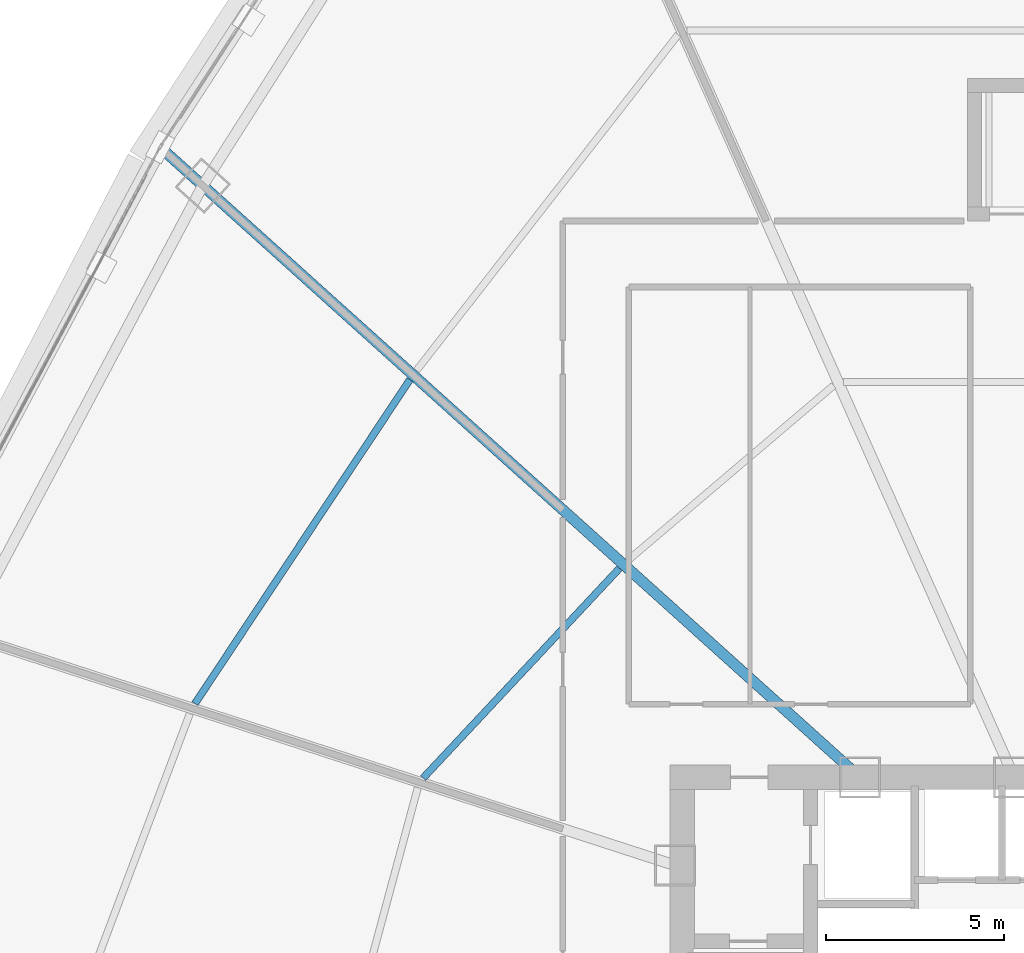
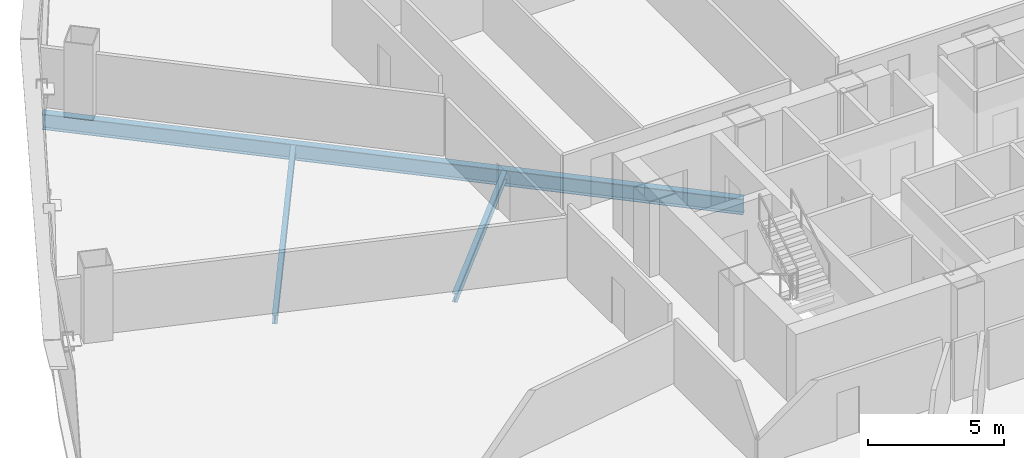
# One storey, part 15 of 42: 3 beams.
"""IFC4 building model written with IfcOpenShell, lengths in metres."""

from ifc_helpers import new_model, si_unit, direction, frame, origin, origin_2d, place, context, subcontext, project, spatial, i_section, extrude, source, transform, mapped, material, material_profile, profile_set, type_object, element, save


model = new_model("IFC4")

# Units and contexts
model_context = context("Model", 3, precision=1e-05, world=origin(), true_north=direction((0.0, 1.0)))
body_context = subcontext(model_context, "Body", "Model", "MODEL_VIEW")
ifc_project = project(units=[si_unit("LENGTHUNIT", "METRE"), si_unit("AREAUNIT", "SQUARE_METRE"), si_unit("VOLUMEUNIT", "CUBIC_METRE"), si_unit("PLANEANGLEUNIT", "RADIAN"), si_unit("MASSUNIT", "GRAM", prefix="KILO"), si_unit("THERMODYNAMICTEMPERATUREUNIT", "KELVIN"), si_unit("POWERUNIT", "WATT")], contexts=[model_context])

# Site, building, storey
site_placement = place(None, origin())
site = spatial("IfcSite", under=ifc_project, at=site_placement, CompositionType="ELEMENT")
building_placement = place(site_placement, origin())
building = spatial("IfcBuilding", under=site, at=building_placement, Name="Yunzhuo Pagoda Commons", CompositionType="ELEMENT")
storey_placement = place(building_placement, frame((0.0, 0.0, 48.550048828125)))
storey = spatial("IfcBuildingStorey", under=building, at=storey_placement, Name="L12", CompositionType="ELEMENT", Elevation=48.550048828125)

# Beams
ifc_material = material(Name="Structural steel Q355B", Category="steel")
ifc_material_profile_1 = material_profile(ifc_material, i_section(OverallWidth=0.199951171875, OverallDepth=0.39990234375, WebThickness=0.008056640625, FlangeThickness=0.012939453125, at=origin_2d()), Name="Structural steel Q355B")
ifc_profile_set_1 = profile_set([ifc_material_profile_1], Name="Structural steel Q355B")
beam_type_1 = type_object("IfcBeamType", Name="B-JS1 Joist HN 400x200x8x13", PredefinedType="JOIST", material=ifc_profile_set_1)
shared_shape_1 = source(origin(), body_context, "Body", "SweptSolid", [
    extrude(i_section(OverallWidth=0.199951171875, OverallDepth=0.39990234375, WebThickness=0.008056640625, FlangeThickness=0.012939453125, at=origin_2d()), origin(), (0.0, 0.0, 1.0), 8.055908203125),
])
beam_1_placement = place(storey_placement, frame((34.03759765625, 46.057861328125, -0.4599609375), z_axis=(-0.683432879027, -0.730013355949, 0.0), x_axis=(0.730013355949, -0.683432879027, 0.0)))
element("IfcBeam", 1, at=beam_1_placement, inside=storey, type_object=beam_type_1, Name="L12 composite ring joist 1.10", PredefinedType="JOIST", context=body_context, shape_type="MappedRepresentation", body=[
    mapped(shared_shape_1, transform((0.0, 0.0, 0.0), scale=1.0)),
])
shared_shape_2 = source(origin(), body_context, "Body", "SweptSolid", [
    extrude(i_section(OverallWidth=0.199951171875, OverallDepth=0.39990234375, WebThickness=0.008056640625, FlangeThickness=0.012939453125, at=origin_2d()), origin(), (0.0, 0.0, 1.0), 10.904052734375),
])
beam_2_placement = place(storey_placement, frame((28.160888671875, 51.351806640625, -0.4599609375), z_axis=(-0.552916349928, -0.833236767061, 0.0), x_axis=(0.833236767061, -0.552916349928, 0.0)))
element("IfcBeam", 2, at=beam_2_placement, inside=storey, type_object=beam_type_1, Name="L12 composite ring joist 2.10", PredefinedType="JOIST", context=body_context, shape_type="MappedRepresentation", body=[
    mapped(shared_shape_2, transform((0.0, 0.0, 0.0), scale=1.0)),
])
ifc_material_profile_2 = material_profile(ifc_material, i_section(OverallWidth=0.300048828125, OverallDepth=0.699951171875, WebThickness=0.012939453125, FlangeThickness=0.02392578125, at=origin_2d()), Name="Structural steel Q355B")
ifc_profile_set_2 = profile_set([ifc_material_profile_2], Name="Structural steel Q355B")
beam_type_2 = type_object("IfcBeamType", Name="B-RG1 Beam HN 700x300x13x24", PredefinedType="BEAM", material=ifc_profile_set_2)
shared_shape_3 = source(origin(), body_context, "Body", "SweptSolid", [
    extrude(i_section(OverallWidth=0.300048828125, OverallDepth=0.699951171875, WebThickness=0.012939453125, FlangeThickness=0.02392578125, at=origin_2d()), origin(), (0.0, 0.0, 1.0), 26.257568359375),
])
beam_3_placement = place(storey_placement, frame((21.267822265625, 57.769775390625, -0.610107421875), z_axis=(0.743143409048, -0.66913217946, 0.0), x_axis=(0.66913217946, 0.743143409048, 0.0)))
element("IfcBeam", 3, at=beam_3_placement, inside=storey, type_object=beam_type_2, Name="L12 radial floor girder F3C2", PredefinedType="BEAM", context=body_context, shape_type="MappedRepresentation", body=[
    mapped(shared_shape_3, transform((0.0, 0.0, 0.0), scale=1.0)),
])

save(model, "model.ifc")
